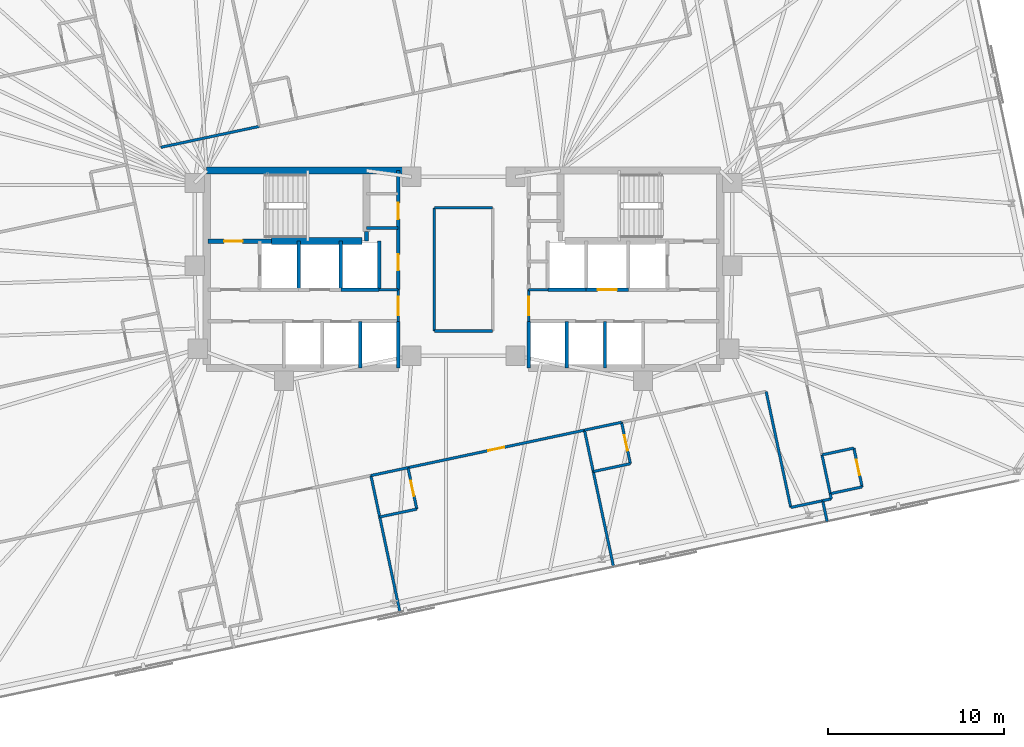
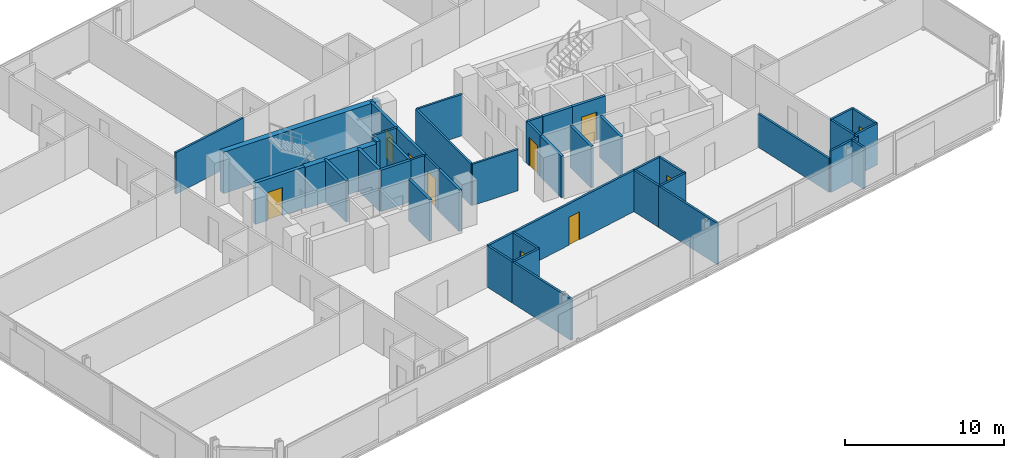
# One storey, part 15 of 19: 45 walls, 10 doors, 10 openings.
"""IFC4 building model written with IfcOpenShell, lengths in metres."""

from ifc_helpers import new_model, si_unit, direction, frame, frame_2d, origin, place, context, subcontext, project, spatial, rectangle, extrude, material, layer, layer_set, type_object, element, fill, save


model = new_model("IFC4")

# Units and contexts
model_context = context("Model", 3, precision=1e-05, world=origin(), true_north=direction((0.0, 1.0)))
body_context = subcontext(model_context, "Body", "Model", "MODEL_VIEW")
ifc_project = project(units=[si_unit("LENGTHUNIT", "METRE"), si_unit("AREAUNIT", "SQUARE_METRE"), si_unit("VOLUMEUNIT", "CUBIC_METRE"), si_unit("PLANEANGLEUNIT", "RADIAN"), si_unit("MASSUNIT", "GRAM", prefix="KILO")], contexts=[model_context])

# Site, building, storey
site_placement = place(None, origin())
site = spatial("IfcSite", under=ifc_project, at=site_placement, CompositionType="ELEMENT")
building_placement = place(site_placement, origin())
building = spatial("IfcBuilding", under=site, at=building_placement, Name="Menara Jurai Vektor", CompositionType="ELEMENT")
storey_placement = place(building_placement, frame((0.0, 0.0, 161.60009765625)))
storey = spatial("IfcBuildingStorey", under=building, at=storey_placement, Name="L41", CompositionType="ELEMENT", Elevation=161.60009765625)

# Wall, opening, door
ifc_material_1 = material(Name="Concrete C40/50", Category="concrete")
ifc_layer_1 = layer(ifc_material_1, 0.25)
ifc_layer_set_1 = layer_set([ifc_layer_1], Name="Concrete C40/50")
wall_type_1 = type_object("IfcWallType", Name="INT-WALL-CORE-250", PredefinedType="STANDARD", material=ifc_layer_set_1)
wall_1_placement = place(storey_placement, frame((-14.5, 1.60009765625, 0.0), z_axis=(0.0, 0.0, 1.0), x_axis=(1.0, 0.0, 0.0)))
wall_1 = element("IfcWall", 1, at=wall_1_placement, inside=storey, type_object=wall_type_1, Name="Interior Wall IW-250 L41", PredefinedType="STANDARD", context=body_context, shape_type="SweptSolid", body=[
    extrude(rectangle(XDim=3.60009765625, YDim=0.25, at=frame_2d((1.800048828125, 0.0))), origin(), (0.0, 0.0, 1.0), 3.1748046875),
])
opening_1_placement = place(wall_1_placement, frame((0.919921875, 0.0, 0.0)))
opening_1 = element("IfcOpeningElement", 2, at=opening_1_placement, cuts=wall_1, Name="Opening D-L41-ST1", PredefinedType="OPENING", context=body_context, shape_type="SweptSolid", body=[
    extrude(rectangle(XDim=1.050048828125, YDim=2.14990234375, at=frame_2d((0.52490234375, 1.074951171875))), frame((0.0, 0.135009765625, 0.0), z_axis=(0.0, -1.0, 0.0), x_axis=(1.0, 0.0, 0.0)), (0.0, 0.0, 1.0), 0.27001953125),
])
ifc_material_2 = material(Name="Fire-Rated Steel Door", Category="steel")
door_type_1 = type_object("IfcDoorType", Name="DR-STAIR-1050", OperationType="NOTDEFINED", PredefinedType="DOOR", material=ifc_material_2)
door_1_placement = place(opening_1_placement, origin())
door_1 = element("IfcDoor", 3, at=door_1_placement, inside=storey, type_object=door_type_1, Name="Exit Stair ST1 Door L41", OperationType="SINGLE_SWING_RIGHT", OverallHeight=2.14990234375, OverallWidth=1.050048828125, PredefinedType="DOOR", context=body_context, shape_type="SweptSolid", body=[
    extrude(rectangle(XDim=1.050048828125, YDim=2.14990234375, at=frame_2d((0.52490234375, 1.074951171875))), frame((0.0, 0.02490234375, 0.0), z_axis=(0.0, -1.0, 0.0), x_axis=(1.0, 0.0, 0.0)), (0.0, 0.0, 1.0), 0.050048828125),
])
fill(opening_1, door_1)

# Walls
wall_2_placement = place(storey_placement, frame((-5.5, 1.60009765625, 0.0), z_axis=(0.0, 0.0, 1.0), x_axis=(0.0, 1.0, 0.0)))
element("IfcWall", 4, at=wall_2_placement, inside=storey, type_object=wall_type_1, Name="Interior Wall IW-250 L41", PredefinedType="STANDARD", context=body_context, shape_type="SweptSolid", body=[
    extrude(rectangle(XDim=0.5498046875, YDim=0.25, at=frame_2d((0.27490234375, 0.0))), origin(), (0.0, 0.0, 1.0), 3.1748046875),
])
wall_3_placement = place(storey_placement, frame((-9.35009765625, -1.14990234375, 0.0), z_axis=(0.0, 0.0, 1.0), x_axis=(0.0, 1.0, 0.0)))
element("IfcWall", 5, at=wall_3_placement, inside=storey, type_object=wall_type_1, Name="Interior Wall IW-250 L41", PredefinedType="STANDARD", context=body_context, shape_type="SweptSolid", body=[
    extrude(rectangle(XDim=2.75, YDim=0.199951171875, at=frame_2d((1.375, 0.0))), origin(), (0.0, 0.0, 1.0), 3.1748046875),
])

# Wall, opening, door
ifc_material_3 = material(Name="Gypsum Fireboard Partition", Category="gypsum")
ifc_layer_2 = layer(ifc_material_3, 0.14990234375)
ifc_layer_set_2 = layer_set([ifc_layer_2], Name="Gypsum Fireboard Partition")
wall_type_2 = type_object("IfcWallType", Name="INT-WALL-CORR-150", PredefinedType="PARTITIONING", material=ifc_layer_set_2)
wall_4_placement = place(storey_placement, frame((-3.699951171875, -2.949951171875, 0.0), z_axis=(0.0, 0.0, 1.0), x_axis=(0.0, 1.0, 0.0)))
wall_4 = element("IfcWall", 6, at=wall_4_placement, inside=storey, type_object=wall_type_2, Name="Interior Wall IW-150 L41", PredefinedType="PARTITIONING", context=body_context, shape_type="SweptSolid", body=[
    extrude(rectangle(XDim=1.800048828125, YDim=0.14990234375, at=frame_2d((0.89990234375, 0.0))), origin(), (0.0, 0.0, 1.0), 3.1748046875),
])
opening_2_placement = place(wall_4_placement, frame((0.35009765625, 0.0, 0.0)))
opening_2 = element("IfcOpeningElement", 7, at=opening_2_placement, cuts=wall_4, Name="Opening D-L41-LLW", PredefinedType="OPENING", context=body_context, shape_type="SweptSolid", body=[
    extrude(rectangle(XDim=1.050048828125, YDim=2.179931640625, at=frame_2d((0.52490234375, 1.08984375))), frame((0.0, 0.0849609375, 0.0), z_axis=(0.0, -1.0, 0.0), x_axis=(1.0, 0.0, 0.0)), (0.0, 0.0, 1.0), 0.169921875),
])
ifc_material_4 = material(Name="Fire-Rated Timber Door", Category="wood")
door_type_2 = type_object("IfcDoorType", Name="DR-LOBBY-1050", OperationType="NOTDEFINED", PredefinedType="DOOR", material=ifc_material_4)
door_2_placement = place(opening_2_placement, origin())
door_2 = element("IfcDoor", 8, at=door_2_placement, inside=storey, type_object=door_type_2, Name="Lift Lobby Corridor Door W L41", OperationType="SINGLE_SWING_LEFT", OverallHeight=2.179931640625, OverallWidth=1.050048828125, PredefinedType="DOOR", context=body_context, shape_type="SweptSolid", body=[
    extrude(rectangle(XDim=1.050048828125, YDim=2.179931640625, at=frame_2d((0.52490234375, 1.08984375))), frame((0.0, 0.02490234375, 0.0), z_axis=(0.0, -1.0, 0.0), x_axis=(1.0, 0.0, 0.0)), (0.0, 0.0, 1.0), 0.050048828125),
])
fill(opening_2, door_2)

# Wall
wall_5_placement = place(storey_placement, frame((-4.7900390625, -1.14990234375, 0.0), z_axis=(0.0, 0.0, 1.0), x_axis=(1.0, 0.0, 0.0)))
element("IfcWall", 9, at=wall_5_placement, inside=storey, type_object=wall_type_2, Name="Interior Wall IW-150 L41", PredefinedType="PARTITIONING", context=body_context, shape_type="SweptSolid", body=[
    extrude(rectangle(XDim=1.090087890625, YDim=0.14990234375, at=frame_2d((0.544921875, 0.0))), origin(), (0.0, 0.0, 1.0), 3.1748046875),
])

# Wall, opening, door
wall_6_placement = place(storey_placement, frame((3.699951171875, -2.949951171875, 0.0), z_axis=(0.0, 0.0, 1.0), x_axis=(0.0, 1.0, 0.0)))
wall_6 = element("IfcWall", 10, at=wall_6_placement, inside=storey, type_object=wall_type_2, Name="Interior Wall IW-150 L41", PredefinedType="PARTITIONING", context=body_context, shape_type="SweptSolid", body=[
    extrude(rectangle(XDim=1.800048828125, YDim=0.14990234375, at=frame_2d((0.89990234375, 0.0))), origin(), (0.0, 0.0, 1.0), 3.1748046875),
])
opening_3_placement = place(wall_6_placement, frame((0.35009765625, 0.0, 0.0)))
opening_3 = element("IfcOpeningElement", 11, at=opening_3_placement, cuts=wall_6, Name="Opening D-L41-LLE", PredefinedType="OPENING", context=body_context, shape_type="SweptSolid", body=[
    extrude(rectangle(XDim=1.050048828125, YDim=2.179931640625, at=frame_2d((0.52490234375, 1.08984375))), frame((0.0, 0.0849609375, 0.0), z_axis=(0.0, -1.0, 0.0), x_axis=(1.0, 0.0, 0.0)), (0.0, 0.0, 1.0), 0.169921875),
])
door_3_placement = place(opening_3_placement, frame((1.050048828125, 0.0, 0.0), z_axis=(0.0, 0.0, 1.0), x_axis=(-1.0, 0.0, 0.0)))
door_3 = element("IfcDoor", 12, at=door_3_placement, inside=storey, type_object=door_type_2, Name="Lift Lobby Corridor Door E L41", OperationType="SINGLE_SWING_RIGHT", OverallHeight=2.179931640625, OverallWidth=1.050048828125, PredefinedType="DOOR", context=body_context, shape_type="SweptSolid", body=[
    extrude(rectangle(XDim=1.050048828125, YDim=2.179931640625, at=frame_2d((0.52490234375, 1.08984375))), frame((0.0, 0.02490234375, 0.0), z_axis=(0.0, -1.0, 0.0), x_axis=(1.0, 0.0, 0.0)), (0.0, 0.0, 1.0), 0.050048828125),
])
fill(opening_3, door_3)

# Walls
wall_7_placement = place(storey_placement, frame((3.699951171875, -1.14990234375, 0.0), z_axis=(0.0, 0.0, 1.0), x_axis=(1.0, 0.0, 0.0)))
element("IfcWall", 13, at=wall_7_placement, inside=storey, type_object=wall_type_2, Name="Interior Wall IW-150 L41", PredefinedType="PARTITIONING", context=body_context, shape_type="SweptSolid", body=[
    extrude(rectangle(XDim=1.090087890625, YDim=0.14990234375, at=frame_2d((0.544921875, 0.0))), origin(), (0.0, 0.0, 1.0), 3.1748046875),
])
wall_8_placement = place(storey_placement, frame((-5.5, 2.35009765625, 0.0), z_axis=(0.0, 0.0, 1.0), x_axis=(1.0, 0.0, 0.0)))
element("IfcWall", 14, at=wall_8_placement, inside=storey, type_object=wall_type_2, Name="Interior Wall IW-150 L41", PredefinedType="PARTITIONING", context=body_context, shape_type="SweptSolid", body=[
    extrude(rectangle(XDim=1.800048828125, YDim=0.14990234375, at=frame_2d((0.89990234375, 0.0))), origin(), (0.0, 0.0, 1.0), 3.1748046875),
])
wall_9_placement = place(storey_placement, frame((-1.64990234375, -3.489501953125, 0.0), z_axis=(0.0, 0.0, 1.0), x_axis=(-3.4979712e-05, 0.999999999388, 0.0)))
element("IfcWall", 15, at=wall_9_placement, inside=storey, type_object=wall_type_2, Name="Interior Wall IW-150 L41", PredefinedType="PARTITIONING", context=body_context, shape_type="SweptSolid", body=[
    extrude(rectangle(XDim=6.9794921875, YDim=0.14990234375, at=frame_2d((3.48974609375, 0.0))), origin(), (0.0, 0.0, 1.0), 3.1748046875),
])
wall_10_placement = place(storey_placement, frame((-1.64990234375, -3.489501953125, 0.0), z_axis=(0.0, 0.0, 1.0), x_axis=(0.999999975374, -0.000221926315, 0.0)))
element("IfcWall", 16, at=wall_10_placement, inside=storey, type_object=wall_type_2, Name="Interior Wall IW-150 L41", PredefinedType="PARTITIONING", context=body_context, shape_type="SweptSolid", body=[
    extrude(rectangle(XDim=3.30029296875, YDim=0.14990234375, at=frame_2d((1.650146484375, 0.0))), origin(), (0.0, 0.0, 1.0), 3.1748046875),
])
wall_11_placement = place(storey_placement, frame((-1.650146484375, 3.489990234375, 0.0), z_axis=(0.0, 0.0, 1.0), x_axis=(1.0, 0.0, 0.0)))
element("IfcWall", 17, at=wall_11_placement, inside=storey, type_object=wall_type_2, Name="Interior Wall IW-150 L41", PredefinedType="PARTITIONING", context=body_context, shape_type="SweptSolid", body=[
    extrude(rectangle(XDim=3.300048828125, YDim=0.14990234375, at=frame_2d((1.64990234375, 0.0))), origin(), (0.0, 0.0, 1.0), 3.1748046875),
])
wall_12_placement = place(storey_placement, frame((-17.162353515625, 6.92578125, 0.0), z_axis=(0.0, 0.0, 1.0), x_axis=(0.978144196583, 0.207927705443, 0.0)))
element("IfcWall", 18, at=wall_12_placement, inside=storey, type_object=wall_type_2, Name="Interior Wall IW-150 L41", PredefinedType="PARTITIONING", context=body_context, shape_type="SweptSolid", body=[
    extrude(rectangle(XDim=5.717041015625, YDim=0.14990234375, at=frame_2d((2.8583984375, 0.0))), origin(), (0.0, 0.0, 1.0), 3.1748046875),
])

# Wall, opening, door
wall_13_placement = place(storey_placement, frame((-3.147705078125, -11.2421875, 0.0), z_axis=(0.0, 0.0, 1.0), x_axis=(0.978150238925, 0.207899278718, 0.0)))
wall_13 = element("IfcWall", 19, at=wall_13_placement, inside=storey, type_object=wall_type_2, Name="Interior Wall IW-150 L41", PredefinedType="PARTITIONING", context=body_context, shape_type="SweptSolid", body=[
    extrude(rectangle(XDim=10.23193359375, YDim=0.14990234375, at=frame_2d((5.115966796875, 0.0))), origin(), (0.0, 0.0, 1.0), 3.1748046875),
])
opening_4_placement = place(wall_13_placement, frame((4.656005859375, 0.0, 0.0)))
opening_4 = element("IfcOpeningElement", 20, at=opening_4_placement, cuts=wall_13, Name="Opening D41-17", PredefinedType="OPENING", context=body_context, shape_type="SweptSolid", body=[
    extrude(rectangle(XDim=0.919921875, YDim=2.14990234375, at=frame_2d((0.4599609375, 1.074951171875))), frame((0.0, 0.0849609375, 0.0), z_axis=(0.0, -1.0, 0.0), x_axis=(1.0, 0.0, 0.0)), (0.0, 0.0, 1.0), 0.169921875),
])
ifc_material_5 = material(Name="Solid Core Timber Fire Door", Category="wood")
door_type_3 = type_object("IfcDoorType", Name="DR-ENTRY-950", OperationType="NOTDEFINED", PredefinedType="DOOR", material=ifc_material_5)
door_4_placement = place(opening_4_placement, origin())
door_4 = element("IfcDoor", 21, at=door_4_placement, inside=storey, type_object=door_type_3, Name="Interior Door D41-17", OperationType="SINGLE_SWING_RIGHT", OverallHeight=2.14990234375, OverallWidth=0.919921875, PredefinedType="DOOR", context=body_context, shape_type="SweptSolid", body=[
    extrude(rectangle(XDim=0.919921875, YDim=2.14990234375, at=frame_2d((0.4599609375, 1.074951171875))), frame((0.0, 0.02490234375, 0.0), z_axis=(0.0, -1.0, 0.0), x_axis=(1.0, 0.0, 0.0)), (0.0, 0.0, 1.0), 0.050048828125),
])
fill(opening_4, door_4)

# Walls
wall_14_placement = place(storey_placement, frame((-5.250732421875, -11.689208984375, 0.0), z_axis=(0.0, 0.0, 1.0), x_axis=(0.978146728319, 0.207915795165, 0.0)))
element("IfcWall", 22, at=wall_14_placement, inside=storey, type_object=wall_type_2, Name="Interior Wall IW-150 L41", PredefinedType="PARTITIONING", context=body_context, shape_type="SweptSolid", body=[
    extrude(rectangle(XDim=2.14990234375, YDim=0.14990234375, at=frame_2d((1.074951171875, 0.0))), origin(), (0.0, 0.0, 1.0), 3.1748046875),
])
wall_15_placement = place(storey_placement, frame((18.5595703125, -13.498291015625, 0.0), z_axis=(0.0, 0.0, 1.0), x_axis=(0.978160192495, 0.207852442415, 0.0)))
element("IfcWall", 23, at=wall_15_placement, inside=storey, type_object=wall_type_2, Name="Interior Wall IW-150 L41", PredefinedType="PARTITIONING", context=body_context, shape_type="SweptSolid", body=[
    extrude(rectangle(XDim=1.849853515625, YDim=0.14990234375, at=frame_2d((0.9248046875, 0.0))), origin(), (0.0, 0.0, 1.0), 3.1748046875),
])
wall_16_placement = place(storey_placement, frame((6.860595703125, -9.114990234375, 0.0), z_axis=(0.0, 0.0, 1.0), x_axis=(0.978146728319, 0.207915795165, 0.0)))
element("IfcWall", 24, at=wall_16_placement, inside=storey, type_object=wall_type_2, Name="Interior Wall IW-150 L41", PredefinedType="PARTITIONING", context=body_context, shape_type="SweptSolid", body=[
    extrude(rectangle(XDim=2.14990234375, YDim=0.14990234375, at=frame_2d((1.074951171875, 0.0))), origin(), (0.0, 0.0, 1.0), 3.1748046875),
])
wall_17_placement = place(storey_placement, frame((20.369140625, -13.11376953125, 0.0), z_axis=(0.0, 0.0, 1.0), x_axis=(0.978143962546, 0.207928806409, 0.0)))
element("IfcWall", 25, at=wall_17_placement, inside=storey, type_object=wall_type_2, Name="Interior Wall IW-150 L41", PredefinedType="PARTITIONING", context=body_context, shape_type="SweptSolid", body=[
    extrude(rectangle(XDim=0.500244140625, YDim=0.14990234375, at=frame_2d((0.25, 0.0))), origin(), (0.0, 0.0, 1.0), 3.1748046875),
])
wall_18_placement = place(storey_placement, frame((20.8583984375, -13.009765625, 0.0), z_axis=(0.0, 0.0, 1.0), x_axis=(-0.208306395052, 0.978063620518, 0.0)))
element("IfcWall", 26, at=wall_18_placement, inside=storey, type_object=wall_type_2, Name="Interior Wall IW-150 L41", PredefinedType="PARTITIONING", context=body_context, shape_type="SweptSolid", body=[
    extrude(rectangle(XDim=0.300048828125, YDim=0.14990234375, at=frame_2d((0.14990234375, 0.0))), origin(), (0.0, 0.0, 1.0), 3.1748046875),
])
wall_19_placement = place(storey_placement, frame((20.7958984375, -12.71630859375, 0.0), z_axis=(0.0, 0.0, 1.0), x_axis=(-0.207891197838, 0.978151956427, 0.0)))
element("IfcWall", 27, at=wall_19_placement, inside=storey, type_object=wall_type_2, Name="Interior Wall IW-150 L41", PredefinedType="PARTITIONING", context=body_context, shape_type="SweptSolid", body=[
    extrude(rectangle(XDim=2.25, YDim=0.14990234375, at=frame_2d((1.125, 0.0))), origin(), (0.0, 0.0, 1.0), 3.1748046875),
])
wall_20_placement = place(storey_placement, frame((-3.60400390625, -19.436279296875, 0.0), z_axis=(0.0, 0.0, 1.0), x_axis=(-0.20791588359, 0.978146709523, 0.0)))
element("IfcWall", 28, at=wall_20_placement, inside=storey, type_object=wall_type_2, Name="Interior Wall IW-150 L41", PredefinedType="PARTITIONING", context=body_context, shape_type="SweptSolid", body=[
    extrude(rectangle(XDim=5.52001953125, YDim=0.14990234375, at=frame_2d((2.760009765625, 0.0))), origin(), (0.0, 0.0, 1.0), 3.1748046875),
])
wall_21_placement = place(storey_placement, frame((-4.751708984375, -14.036865234375, 0.0), z_axis=(0.0, 0.0, 1.0), x_axis=(-0.207917150959, 0.978146440129, 0.0)))
element("IfcWall", 29, at=wall_21_placement, inside=storey, type_object=wall_type_2, Name="Interior Wall IW-150 L41", PredefinedType="PARTITIONING", context=body_context, shape_type="SweptSolid", body=[
    extrude(rectangle(XDim=2.400146484375, YDim=0.14990234375, at=frame_2d((1.2001953125, 0.0))), origin(), (0.0, 0.0, 1.0), 3.1748046875),
])
wall_22_placement = place(storey_placement, frame((-4.751708984375, -14.036865234375, 0.0), z_axis=(0.0, 0.0, 1.0), x_axis=(0.978146728319, 0.207915795165, 0.0)))
element("IfcWall", 30, at=wall_22_placement, inside=storey, type_object=wall_type_2, Name="Interior Wall IW-150 L41", PredefinedType="PARTITIONING", context=body_context, shape_type="SweptSolid", body=[
    extrude(rectangle(XDim=2.14990234375, YDim=0.14990234375, at=frame_2d((1.074951171875, 0.0))), origin(), (0.0, 0.0, 1.0), 3.1748046875),
])

# Wall, opening, door
wall_23_placement = place(storey_placement, frame((-2.648681640625, -13.58984375, 0.0), z_axis=(0.0, 0.0, 1.0), x_axis=(-0.207917150959, 0.978146440129, 0.0)))
wall_23 = element("IfcWall", 31, at=wall_23_placement, inside=storey, type_object=wall_type_2, Name="Interior Wall IW-150 L41", PredefinedType="PARTITIONING", context=body_context, shape_type="SweptSolid", body=[
    extrude(rectangle(XDim=2.400146484375, YDim=0.14990234375, at=frame_2d((1.2001953125, 0.0))), origin(), (0.0, 0.0, 1.0), 3.1748046875),
])
opening_5_placement = place(wall_23_placement, frame((0.760009765625, 0.0, 0.0)))
opening_5 = element("IfcOpeningElement", 32, at=opening_5_placement, cuts=wall_23, Name="Opening D41-18", PredefinedType="OPENING", context=body_context, shape_type="SweptSolid", body=[
    extrude(rectangle(XDim=0.8798828125, YDim=2.14990234375, at=frame_2d((0.43994140625, 1.074951171875))), frame((0.0, 0.0849609375, 0.0), z_axis=(0.0, -1.0, 0.0), x_axis=(1.0, 0.0, 0.0)), (0.0, 0.0, 1.0), 0.169921875),
])
ifc_material_6 = material(Name="Moisture-Resistant Timber Door", Category="wood")
door_type_4 = type_object("IfcDoorType", Name="DR-BATH-880", OperationType="NOTDEFINED", PredefinedType="DOOR", material=ifc_material_6)
door_5_placement = place(opening_5_placement, origin())
door_5 = element("IfcDoor", 33, at=door_5_placement, inside=storey, type_object=door_type_4, Name="Interior Door D41-18", OperationType="SINGLE_SWING_LEFT", OverallHeight=2.14990234375, OverallWidth=0.8798828125, PredefinedType="DOOR", context=body_context, shape_type="SweptSolid", body=[
    extrude(rectangle(XDim=0.8798828125, YDim=2.14990234375, at=frame_2d((0.43994140625, 1.074951171875))), frame((0.0, 0.02490234375, 0.0), z_axis=(0.0, -1.0, 0.0), x_axis=(1.0, 0.0, 0.0)), (0.0, 0.0, 1.0), 0.050048828125),
])
fill(opening_5, door_5)

# Walls
wall_24_placement = place(storey_placement, frame((8.50732421875, -16.86181640625, 0.0), z_axis=(0.0, 0.0, 1.0), x_axis=(-0.20791588359, 0.978146709523, 0.0)))
element("IfcWall", 34, at=wall_24_placement, inside=storey, type_object=wall_type_2, Name="Interior Wall IW-150 L41", PredefinedType="PARTITIONING", context=body_context, shape_type="SweptSolid", body=[
    extrude(rectangle(XDim=5.52001953125, YDim=0.14990234375, at=frame_2d((2.760009765625, 0.0))), origin(), (0.0, 0.0, 1.0), 3.1748046875),
])
wall_25_placement = place(storey_placement, frame((7.359619140625, -11.46240234375, 0.0), z_axis=(0.0, 0.0, 1.0), x_axis=(-0.207937840262, 0.978142042133, 0.0)))
element("IfcWall", 35, at=wall_25_placement, inside=storey, type_object=wall_type_2, Name="Interior Wall IW-150 L41", PredefinedType="PARTITIONING", context=body_context, shape_type="SweptSolid", body=[
    extrude(rectangle(XDim=2.39990234375, YDim=0.14990234375, at=frame_2d((1.199951171875, 0.0))), origin(), (0.0, 0.0, 1.0), 3.1748046875),
])
wall_26_placement = place(storey_placement, frame((7.359619140625, -11.46240234375, 0.0), z_axis=(0.0, 0.0, 1.0), x_axis=(0.978146728319, 0.207915795165, 0.0)))
element("IfcWall", 36, at=wall_26_placement, inside=storey, type_object=wall_type_2, Name="Interior Wall IW-150 L41", PredefinedType="PARTITIONING", context=body_context, shape_type="SweptSolid", body=[
    extrude(rectangle(XDim=2.14990234375, YDim=0.14990234375, at=frame_2d((1.074951171875, 0.0))), origin(), (0.0, 0.0, 1.0), 3.1748046875),
])

# Wall, opening, door
wall_27_placement = place(storey_placement, frame((9.462646484375, -11.015380859375, 0.0), z_axis=(0.0, 0.0, 1.0), x_axis=(-0.207937840262, 0.978142042133, 0.0)))
wall_27 = element("IfcWall", 37, at=wall_27_placement, inside=storey, type_object=wall_type_2, Name="Interior Wall IW-150 L41", PredefinedType="PARTITIONING", context=body_context, shape_type="SweptSolid", body=[
    extrude(rectangle(XDim=2.39990234375, YDim=0.14990234375, at=frame_2d((1.199951171875, 0.0))), origin(), (0.0, 0.0, 1.0), 3.1748046875),
])
opening_6_placement = place(wall_27_placement, frame((0.760009765625, 0.0, 0.0)))
opening_6 = element("IfcOpeningElement", 38, at=opening_6_placement, cuts=wall_27, Name="Opening D41-20", PredefinedType="OPENING", context=body_context, shape_type="SweptSolid", body=[
    extrude(rectangle(XDim=0.8798828125, YDim=2.14990234375, at=frame_2d((0.43994140625, 1.074951171875))), frame((0.0, 0.0849609375, 0.0), z_axis=(0.0, -1.0, 0.0), x_axis=(1.0, 0.0, 0.0)), (0.0, 0.0, 1.0), 0.169921875),
])
door_6_placement = place(opening_6_placement, origin())
door_6 = element("IfcDoor", 39, at=door_6_placement, inside=storey, type_object=door_type_4, Name="Interior Door D41-20", OperationType="SINGLE_SWING_LEFT", OverallHeight=2.14990234375, OverallWidth=0.8798828125, PredefinedType="DOOR", context=body_context, shape_type="SweptSolid", body=[
    extrude(rectangle(XDim=0.8798828125, YDim=2.14990234375, at=frame_2d((0.43994140625, 1.074951171875))), frame((0.0, 0.02490234375, 0.0), z_axis=(0.0, -1.0, 0.0), x_axis=(1.0, 0.0, 0.0)), (0.0, 0.0, 1.0), 0.050048828125),
])
fill(opening_6, door_6)

# Walls
wall_28_placement = place(storey_placement, frame((20.61865234375, -14.28759765625, 0.0), z_axis=(0.0, 0.0, 1.0), x_axis=(-0.207917150959, 0.978146440129, 0.0)))
element("IfcWall", 40, at=wall_28_placement, inside=storey, type_object=wall_type_2, Name="Interior Wall IW-150 L41", PredefinedType="PARTITIONING", context=body_context, shape_type="SweptSolid", body=[
    extrude(rectangle(XDim=1.199951171875, YDim=0.14990234375, at=frame_2d((0.60009765625, 0.0))), origin(), (0.0, 0.0, 1.0), 3.1748046875),
])
for number, where, z_axis, x_axis, name in (
    (41, (20.7958984375, -12.71630859375, 0.0), (0.0, 0.0, 1.0), (0.978160192495, 0.207852442415, 0.0), "Interior Wall IW-150 L41"),
    (42, (20.328125, -10.515380859375, 0.0), (0.0, 0.0, 1.0), (0.978160192495, 0.207852442415, 0.0), "Interior Wall IW-150 L41"),
):
    element("IfcWall", number, at=place(storey_placement, frame(where, z_axis=z_axis, x_axis=x_axis)), inside=storey, type_object=wall_type_2, Name=name, PredefinedType="PARTITIONING", context=body_context, shape_type="SweptSolid", body=[
        extrude(rectangle(XDim=1.849853515625, YDim=0.14990234375, at=frame_2d((0.9248046875, 0.0))), origin(), (0.0, 0.0, 1.0), 3.1748046875),
    ])

# Wall, opening, door
wall_29_placement = place(storey_placement, frame((22.60546875, -12.331787109375, 0.0), z_axis=(0.0, 0.0, 1.0), x_axis=(-0.207891197838, 0.978151956427, 0.0)))
wall_29 = element("IfcWall", 43, at=wall_29_placement, inside=storey, type_object=wall_type_2, Name="Interior Wall IW-150 L41", PredefinedType="PARTITIONING", context=body_context, shape_type="SweptSolid", body=[
    extrude(rectangle(XDim=2.25, YDim=0.14990234375, at=frame_2d((1.125, 0.0))), origin(), (0.0, 0.0, 1.0), 3.1748046875),
])
opening_7_placement = place(wall_29_placement, frame((0.68505859375, 0.0, 0.0)))
opening_7 = element("IfcOpeningElement", 44, at=opening_7_placement, cuts=wall_29, Name="Opening D41-32", PredefinedType="OPENING", context=body_context, shape_type="SweptSolid", body=[
    extrude(rectangle(XDim=0.8798828125, YDim=2.14990234375, at=frame_2d((0.43994140625, 1.074951171875))), frame((0.0, 0.0849609375, 0.0), z_axis=(0.0, -1.0, 0.0), x_axis=(1.0, 0.0, 0.0)), (0.0, 0.0, 1.0), 0.169921875),
])
door_7_placement = place(opening_7_placement, origin())
door_7 = element("IfcDoor", 45, at=door_7_placement, inside=storey, type_object=door_type_4, Name="Interior Door D41-32", OperationType="SINGLE_SWING_LEFT", OverallHeight=2.14990234375, OverallWidth=0.8798828125, PredefinedType="DOOR", context=body_context, shape_type="SweptSolid", body=[
    extrude(rectangle(XDim=0.8798828125, YDim=2.14990234375, at=frame_2d((0.43994140625, 1.074951171875))), frame((0.0, 0.02490234375, 0.0), z_axis=(0.0, -1.0, 0.0), x_axis=(1.0, 0.0, 0.0)), (0.0, 0.0, 1.0), 0.050048828125),
])
fill(opening_7, door_7)

# Wall
ifc_layer_3 = layer(ifc_material_3, 0.14990234375)
ifc_layer_set_3 = layer_set([ifc_layer_3], Name="Gypsum Fireboard Partition")
wall_type_3 = type_object("IfcWallType", Name="INT-WALL-CORR-150-H2", PredefinedType="PARTITIONING", material=ifc_layer_set_3)
wall_30_placement = place(storey_placement, frame((18.5595703125, -13.498291015625, 0.0), z_axis=(0.0, 0.0, 1.0), x_axis=(-0.207888737749, 0.978152479278, 0.0)))
element("IfcWall", 46, at=wall_30_placement, inside=storey, type_object=wall_type_3, Name="Interior Wall IW-150 L41", PredefinedType="PARTITIONING", context=body_context, shape_type="SweptSolid", body=[
    extrude(rectangle(XDim=6.7197265625, YDim=0.14990234375, at=frame_2d((3.35986328125, 0.0))), origin(), (0.0, 0.0, 1.0), 2.574951171875),
])

# Wall, openings, doors
ifc_layer_4 = layer(ifc_material_1, 0.199951171875)
ifc_layer_set_4 = layer_set([ifc_layer_4], Name="Concrete C40/50")
wall_type_4 = type_object("IfcWallType", Name="INT-WALL-SHAFT-200", PredefinedType="STANDARD", material=ifc_layer_set_4)
wall_31_placement = place(storey_placement, frame((-3.699951171875, -1.14990234375, 0.0), z_axis=(0.0, 0.0, 1.0), x_axis=(0.0, 1.0, 0.0)))
wall_31 = element("IfcWall", 47, at=wall_31_placement, inside=storey, type_object=wall_type_4, Name="Interior Wall IW-200 L41", PredefinedType="STANDARD", context=body_context, shape_type="SweptSolid", body=[
    extrude(rectangle(XDim=6.75, YDim=0.199951171875, at=frame_2d((3.375, 0.0))), origin(), (0.0, 0.0, 1.0), 3.1748046875),
])
opening_8_placement = place(wall_31_placement, frame((1.10009765625, 0.0, 0.0)))
opening_8 = element("IfcOpeningElement", 48, at=opening_8_placement, cuts=wall_31, Name="Opening D41-02", PredefinedType="OPENING", context=body_context, shape_type="SweptSolid", body=[
    extrude(rectangle(XDim=0.89990234375, YDim=2.14990234375, at=frame_2d((0.449951171875, 1.074951171875))), frame((0.0, 0.10986328125, 0.0), z_axis=(0.0, -1.0, 0.0), x_axis=(1.0, 0.0, 0.0)), (0.0, 0.0, 1.0), 0.219970703125),
])
opening_9_placement = place(wall_31_placement, frame((4.0, 0.0, 0.0)))
opening_9 = element("IfcOpeningElement", 49, at=opening_9_placement, cuts=wall_31, Name="Opening D41-03", PredefinedType="OPENING", context=body_context, shape_type="SweptSolid", body=[
    extrude(rectangle(XDim=0.919921875, YDim=2.14990234375, at=frame_2d((0.4599609375, 1.074951171875))), frame((0.0, 0.10986328125, 0.0), z_axis=(0.0, -1.0, 0.0), x_axis=(1.0, 0.0, 0.0)), (0.0, 0.0, 1.0), 0.219970703125),
])
door_8_placement = place(opening_8_placement, origin())
door_8 = element("IfcDoor", 50, at=door_8_placement, inside=storey, type_object=door_type_3, Name="Interior Door D41-02", OperationType="SINGLE_SWING_LEFT", OverallHeight=2.14990234375, OverallWidth=0.89990234375, PredefinedType="DOOR", context=body_context, shape_type="SweptSolid", body=[
    extrude(rectangle(XDim=0.89990234375, YDim=2.14990234375, at=frame_2d((0.449951171875, 1.074951171875))), frame((0.0, 0.02490234375, 0.0), z_axis=(0.0, -1.0, 0.0), x_axis=(1.0, 0.0, 0.0)), (0.0, 0.0, 1.0), 0.050048828125),
])
fill(opening_8, door_8)
door_9_placement = place(opening_9_placement, origin())
door_9 = element("IfcDoor", 51, at=door_9_placement, inside=storey, type_object=door_type_3, Name="Interior Door D41-03", OperationType="SINGLE_SWING_LEFT", OverallHeight=2.14990234375, OverallWidth=0.919921875, PredefinedType="DOOR", context=body_context, shape_type="SweptSolid", body=[
    extrude(rectangle(XDim=0.919921875, YDim=2.14990234375, at=frame_2d((0.4599609375, 1.074951171875))), frame((0.0, 0.02490234375, 0.0), z_axis=(0.0, -1.0, 0.0), x_axis=(1.0, 0.0, 0.0)), (0.0, 0.0, 1.0), 0.050048828125),
])
fill(opening_9, door_9)

# Walls
wall_32_placement = place(storey_placement, frame((-3.699951171875, -5.60009765625, 0.0), z_axis=(0.0, 0.0, 1.0), x_axis=(0.0, 1.0, 0.0)))
element("IfcWall", 52, at=wall_32_placement, inside=storey, type_object=wall_type_4, Name="Interior Wall IW-200 L41", PredefinedType="STANDARD", context=body_context, shape_type="SweptSolid", body=[
    extrude(rectangle(XDim=2.650146484375, YDim=0.199951171875, at=frame_2d((1.3251953125, 0.0))), origin(), (0.0, 0.0, 1.0), 3.1748046875),
])
for number, where, z_axis, x_axis, name in (
    (53, (-6.949951171875, -1.14990234375, 0.0), (0.0, 0.0, 1.0), (0.0, 1.0, 0.0), "Interior Wall IW-200 L41"),
    (54, (-4.7900390625, -1.14990234375, 0.0), (0.0, 0.0, 1.0), (0.0, 1.0, 0.0), "Interior Wall IW-200 L41"),
):
    element("IfcWall", number, at=place(storey_placement, frame(where, z_axis=z_axis, x_axis=x_axis)), inside=storey, type_object=wall_type_4, Name=name, PredefinedType="STANDARD", context=body_context, shape_type="SweptSolid", body=[
        extrude(rectangle(XDim=2.75, YDim=0.199951171875, at=frame_2d((1.375, 0.0))), origin(), (0.0, 0.0, 1.0), 3.1748046875),
    ])
wall_33_placement = place(storey_placement, frame((-6.949951171875, -1.14990234375, 0.0), z_axis=(0.0, 0.0, 1.0), x_axis=(1.0, 0.0, 0.0)))
element("IfcWall", 55, at=wall_33_placement, inside=storey, type_object=wall_type_4, Name="Interior Wall IW-200 L41", PredefinedType="STANDARD", context=body_context, shape_type="SweptSolid", body=[
    extrude(rectangle(XDim=2.159912109375, YDim=0.199951171875, at=frame_2d((1.080078125, 0.0))), origin(), (0.0, 0.0, 1.0), 3.1748046875),
])
for number, where, z_axis, x_axis, name in (
    (56, (-5.860107421875, -5.60009765625, 0.0), (0.0, 0.0, 1.0), (0.0, 1.0, 0.0), "Interior Wall IW-200 L41"),
    (57, (3.699951171875, -5.60009765625, 0.0), (0.0, 0.0, 1.0), (0.0, 1.0, 0.0), "Interior Wall IW-200 L41"),
):
    element("IfcWall", number, at=place(storey_placement, frame(where, z_axis=z_axis, x_axis=x_axis)), inside=storey, type_object=wall_type_4, Name=name, PredefinedType="STANDARD", context=body_context, shape_type="SweptSolid", body=[
        extrude(rectangle(XDim=2.650146484375, YDim=0.199951171875, at=frame_2d((1.3251953125, 0.0))), origin(), (0.0, 0.0, 1.0), 3.1748046875),
    ])

# Wall, opening, door
wall_34_placement = place(storey_placement, frame((6.949951171875, -1.14990234375, 0.0), z_axis=(0.0, 0.0, 1.0), x_axis=(1.0, 0.0, 0.0)))
wall_34 = element("IfcWall", 58, at=wall_34_placement, inside=storey, type_object=wall_type_4, Name="Interior Wall IW-200 L41", PredefinedType="STANDARD", context=body_context, shape_type="SweptSolid", body=[
    extrude(rectangle(XDim=2.400146484375, YDim=0.199951171875, at=frame_2d((1.2001953125, 0.0))), origin(), (0.0, 0.0, 1.0), 3.1748046875),
])
opening_10_placement = place(wall_34_placement, frame((0.64990234375, 0.0, 0.0)))
opening_10 = element("IfcOpeningElement", 59, at=opening_10_placement, cuts=wall_34, Name="Opening LD-L41-SVL2", PredefinedType="OPENING", context=body_context, shape_type="SweptSolid", body=[
    extrude(rectangle(XDim=1.10009765625, YDim=2.14990234375, at=frame_2d((0.550048828125, 1.074951171875))), frame((0.0, 0.10986328125, 0.0), z_axis=(0.0, -1.0, 0.0), x_axis=(1.0, 0.0, 0.0)), (0.0, 0.0, 1.0), 0.219970703125),
])
ifc_material_7 = material(Name="Anodised Stainless Sliding Lift Landing Door", Category="steel")
door_type_5 = type_object("IfcDoorType", Name="DR-LIFT-PASS-1100", OperationType="NOTDEFINED", PredefinedType="DOOR", material=ifc_material_7)
door_10_placement = place(opening_10_placement, origin())
door_10 = element("IfcDoor", 60, at=door_10_placement, inside=storey, type_object=door_type_5, Name="Lift Landing Door SVL2 L41", OperationType="SLIDING_TO_RIGHT", OverallHeight=2.14990234375, OverallWidth=1.10009765625, PredefinedType="DOOR", context=body_context, shape_type="SweptSolid", body=[
    extrude(rectangle(XDim=1.10009765625, YDim=2.14990234375, at=frame_2d((0.550048828125, 1.074951171875))), frame((0.0, 0.02490234375, 0.0), z_axis=(0.0, -1.0, 0.0), x_axis=(1.0, 0.0, 0.0)), (0.0, 0.0, 1.0), 0.050048828125),
])
fill(opening_10, door_10)

# Walls
wall_35_placement = place(storey_placement, frame((4.7900390625, -1.14990234375, 0.0), z_axis=(0.0, 0.0, 1.0), x_axis=(1.0, 0.0, 0.0)))
element("IfcWall", 61, at=wall_35_placement, inside=storey, type_object=wall_type_4, Name="Interior Wall IW-200 L41", PredefinedType="STANDARD", context=body_context, shape_type="SweptSolid", body=[
    extrude(rectangle(XDim=2.159912109375, YDim=0.199951171875, at=frame_2d((1.080078125, 0.0))), origin(), (0.0, 0.0, 1.0), 3.1748046875),
])
wall_36_placement = place(storey_placement, frame((5.860107421875, -5.60009765625, 0.0), z_axis=(0.0, 0.0, 1.0), x_axis=(0.0, 1.0, 0.0)))
element("IfcWall", 62, at=wall_36_placement, inside=storey, type_object=wall_type_4, Name="Interior Wall IW-200 L41", PredefinedType="STANDARD", context=body_context, shape_type="SweptSolid", body=[
    extrude(rectangle(XDim=2.650146484375, YDim=0.199951171875, at=frame_2d((1.3251953125, 0.0))), origin(), (0.0, 0.0, 1.0), 3.1748046875),
])
wall_37_placement = place(storey_placement, frame((8.02001953125, -5.60009765625, 0.0), z_axis=(0.0, 0.0, 1.0), x_axis=(0.0, 1.0, 0.0)))
element("IfcWall", 63, at=wall_37_placement, inside=storey, type_object=wall_type_4, Name="Interior Wall IW-200 L41", PredefinedType="STANDARD", context=body_context, shape_type="SweptSolid", body=[
    extrude(rectangle(XDim=2.650146484375, YDim=0.179931640625, at=frame_2d((1.3251953125, 0.0))), origin(), (0.0, 0.0, 1.0), 3.1748046875),
])
ifc_material_8 = material(Name="Concrete C50/60", Category="concrete")
ifc_layer_5 = layer(ifc_material_8, 0.39990234375)
ifc_layer_set_5 = layer_set([ifc_layer_5], Name="Concrete C50/60")
wall_type_5 = type_object("IfcWallType", Name="STR-WALL-CORE400", PredefinedType="SHEAR", material=ifc_layer_set_5)
wall_38_placement = place(storey_placement, frame((-14.56005859375, 5.60009765625, 0.0), z_axis=(0.0, 0.0, 1.0), x_axis=(1.0, 0.0, 0.0)))
element("IfcWall", 64, at=wall_38_placement, inside=storey, type_object=wall_type_5, Name="Core Shear Wall CW-W-N L41", PredefinedType="SHEAR", context=body_context, shape_type="SweptSolid", body=[
    extrude(rectangle(XDim=11.41015625, YDim=0.39990234375, at=frame_2d((5.705078125, 0.0))), origin(), (0.0, 0.0, 1.0), 3.1748046875),
])
wall_39_placement = place(storey_placement, frame((-10.89990234375, 1.60009765625, 0.0), z_axis=(0.0, 0.0, 1.0), x_axis=(1.0, 0.0, 0.0)))
element("IfcWall", 65, at=wall_39_placement, inside=storey, type_object=wall_type_5, Name="Core Shear Wall CW-W-STS L41", PredefinedType="SHEAR", context=body_context, shape_type="SweptSolid", body=[
    extrude(rectangle(XDim=5.14990234375, YDim=0.39990234375, at=frame_2d((2.574951171875, 0.0))), origin(), (0.0, 0.0, 1.0), 3.1748046875),
])

save(model, "model.ifc")
